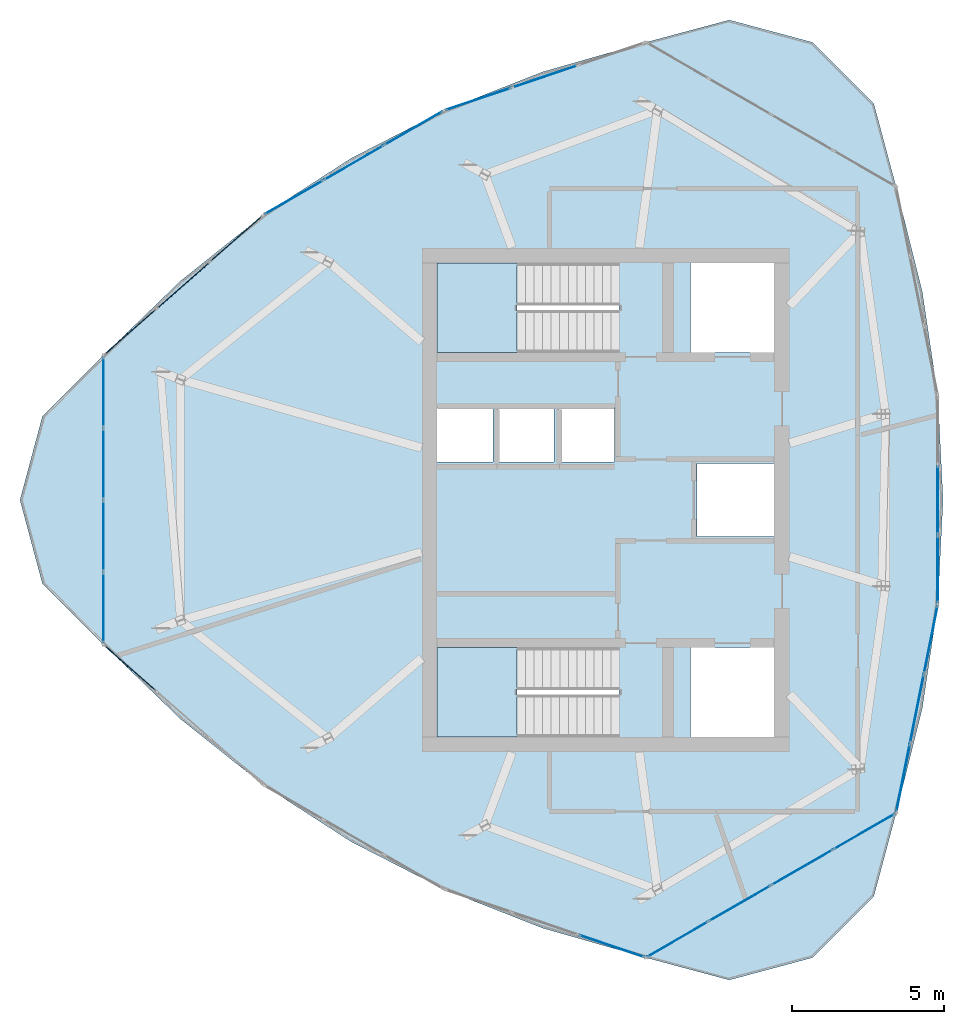
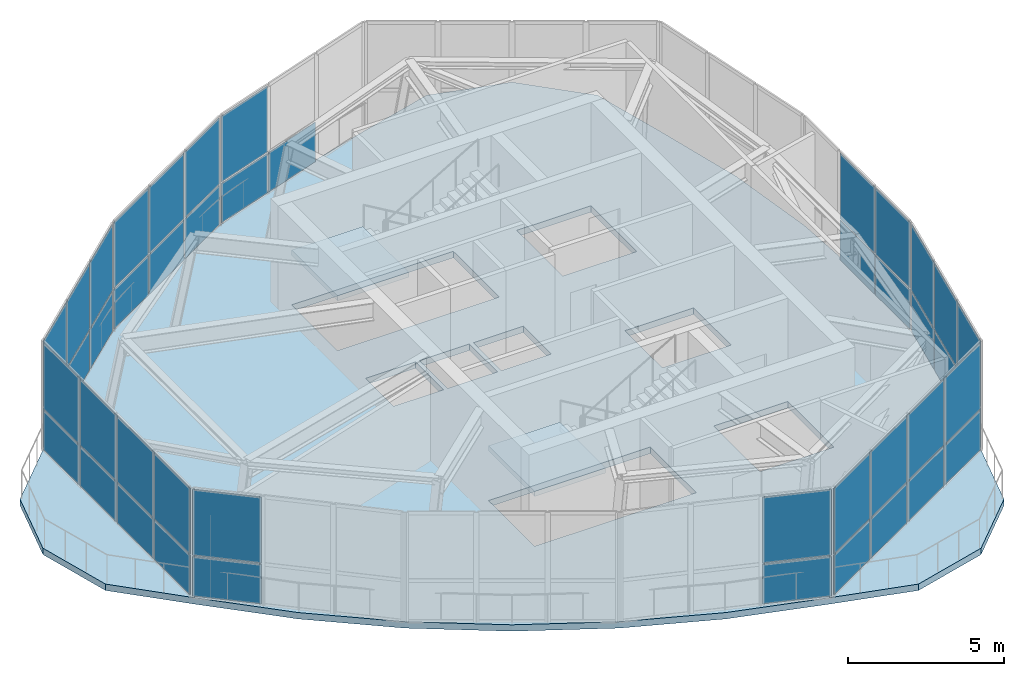
# One storey, part 6 of 11: 45 plates, 3 slabs, 11 elements without a shape of their own.
"""IFC4 building model written with IfcOpenShell, lengths in metres."""

from ifc_helpers import new_model, si_unit, direction, frame, origin, origin_2d, place, context, subcontext, project, spatial, polyline, rectangle, outline, extrude, source, transform, mapped, material, layer, layer_set, type_object, element, aggregate, save


model = new_model("IFC4")

# Units and contexts
model_context = context("Model", 3, precision=1e-05, world=origin(), true_north=direction((0.0, 1.0)))
body_context = subcontext(model_context, "Body", "Model", "MODEL_VIEW")
ifc_project = project(units=[si_unit("LENGTHUNIT", "METRE"), si_unit("AREAUNIT", "SQUARE_METRE"), si_unit("VOLUMEUNIT", "CUBIC_METRE"), si_unit("PLANEANGLEUNIT", "RADIAN"), si_unit("MASSUNIT", "GRAM", prefix="KILO")], contexts=[model_context])

# Site, building, storey
site_placement = place(None, origin())
site = spatial("IfcSite", under=ifc_project, at=site_placement, CompositionType="ELEMENT")
building_placement = place(site_placement, origin())
building = spatial("IfcBuilding", under=site, at=building_placement, Name="Qafzar Sky-Pleat Residences", CompositionType="ELEMENT")
storey_placement = place(building_placement, frame((0.0, 0.0, 253.199951171875)))
storey = spatial("IfcBuildingStorey", under=building, at=storey_placement, Name="L76 Crown", CompositionType="ELEMENT", Elevation=253.199951171875)

# Slab
ifc_material_1 = material(Name="Concrete C40/50", Category="concrete")
ifc_layer_1 = layer(ifc_material_1, 0.25)
ifc_layer_set_1 = layer_set([ifc_layer_1], Name="Concrete C40/50")
slab_type_1 = type_object("IfcSlabType", Name="SLAB-FLR-250", PredefinedType="FLOOR", material=ifc_layer_set_1)
slab_1_placement = place(storey_placement, frame((0.0, 0.0, -0.25)))
element("IfcSlab", 1, at=slab_1_placement, inside=storey, type_object=slab_type_1, Name="L76 Crown Crown Plant Floor Slab", PredefinedType="FLOOR", context=body_context, shape_type="SweptSolid", body=[
    extrude(outline(polyline([(13.81982421875, 30.755126953125), (11.81005859375, 28.745361328125), (11.074462890625, 26.0), (11.81005859375, 23.254638671875), (13.81982421875, 21.244873046875), (16.365966796875, 18.782958984375), (19.083984375, 16.61865234375), (21.973876953125, 14.751708984375), (25.035400390625, 13.1826171875), (28.268798828125, 11.910888671875), (31.674072265625, 10.936767578125), (34.41943359375, 10.201171875), (37.164794921875, 10.936767578125), (39.174560546875, 12.9462890625), (39.91015625, 15.69189453125), (40.76904296875, 19.1279296875), (41.284423828125, 22.56396484375), (41.456298828125, 26.0), (41.284423828125, 29.43603515625), (40.76904296875, 32.8720703125), (39.91015625, 36.30810546875), (39.174560546875, 39.0537109375), (37.164794921875, 41.063232421875), (34.41943359375, 41.798828125), (31.674072265625, 41.063232421875), (28.268798828125, 40.089111328125), (25.035400390625, 38.8173828125), (21.973876953125, 37.248291015625), (19.083984375, 35.38134765625), (16.365966796875, 33.217041015625), (13.81982421875, 30.755126953125)]), holes=[polyline([(30.797119140625, 21.14990234375), (24.800048828125, 21.14990234375), (24.800048828125, 18.199951171875), (30.797119140625, 18.199951171875), (30.797119140625, 21.14990234375)]), polyline([(30.797119140625, 33.800048828125), (24.800048828125, 33.800048828125), (24.800048828125, 30.85009765625), (30.797119140625, 30.85009765625), (30.797119140625, 33.800048828125)]), polyline([(24.800048828125, 27.25), (26.64990234375, 27.25), (26.64990234375, 29.050048828125), (24.800048828125, 29.050048828125), (24.800048828125, 27.25)]), polyline([(26.800048828125, 27.25), (28.64990234375, 27.25), (28.64990234375, 29.050048828125), (26.800048828125, 29.050048828125), (26.800048828125, 27.25)]), polyline([(28.800048828125, 27.25), (30.64990234375, 27.25), (30.64990234375, 29.050048828125), (28.800048828125, 29.050048828125), (28.800048828125, 27.25)]), polyline([(33.14990234375, 18.199951171875), (35.89990234375, 18.199951171875), (35.89990234375, 21.14990234375), (33.14990234375, 21.14990234375), (33.14990234375, 18.199951171875)]), polyline([(33.14990234375, 30.85009765625), (35.89990234375, 30.85009765625), (35.89990234375, 33.800048828125), (33.14990234375, 33.800048828125), (33.14990234375, 30.85009765625)]), polyline([(33.35009765625, 24.800048828125), (35.89990234375, 24.800048828125), (35.89990234375, 27.199951171875), (33.35009765625, 27.199951171875), (33.35009765625, 24.800048828125)])]), origin(), (0.0, 0.0, 1.0), 0.25),
])

# Stair, slab
stair_type = type_object("IfcStairType", Name="STAIR-H430", PredefinedType="HALF_TURN_STAIR", material=ifc_material_1)
stair_1_placement = place(storey_placement, origin())
stair_1 = element("IfcStair", 2, at=stair_1_placement, inside=storey, type_object=stair_type, Name="L76 Crown Protected Exit Stair ST1", PredefinedType="HALF_TURN_STAIR")
ifc_layer_2 = layer(ifc_material_1, 0.199951171875)
ifc_layer_set_2 = layer_set([ifc_layer_2], Name="Concrete C40/50")
slab_type_2 = type_object("IfcSlabType", Name="SLAB-LANDING-200", PredefinedType="LANDING", material=ifc_layer_set_2)
slab_2_placement = place(storey_placement, frame((0.0, 0.0, 1.949951171875)))
slab_2 = element("IfcSlab", 3, at=slab_2_placement, type_object=slab_type_2, Name="ST1 landing 1", PredefinedType="LANDING", context=body_context, shape_type="SweptSolid", body=[
    extrude(outline(polyline([(27.43994140625, 21.14990234375), (24.800048828125, 21.14990234375), (24.800048828125, 18.199951171875), (27.43994140625, 18.199951171875), (27.43994140625, 21.14990234375)])), origin(), (0.0, 0.0, 1.0), 0.2001953125),
])
aggregate(stair_1, [slab_2])

stair_2_placement = place(storey_placement, origin())
stair_2 = element("IfcStair", 4, at=stair_2_placement, inside=storey, type_object=stair_type, Name="L76 Crown Protected Exit Stair ST2", PredefinedType="HALF_TURN_STAIR")
slab_3_placement = place(storey_placement, frame((0.0, 0.0, 1.949951171875)))
slab_3 = element("IfcSlab", 5, at=slab_3_placement, type_object=slab_type_2, Name="ST2 landing 1", PredefinedType="LANDING", context=body_context, shape_type="SweptSolid", body=[
    extrude(outline(polyline([(27.43994140625, 33.800048828125), (24.800048828125, 33.800048828125), (24.800048828125, 30.85009765625), (27.43994140625, 30.85009765625), (27.43994140625, 33.800048828125)])), origin(), (0.0, 0.0, 1.0), 0.2001953125),
])
aggregate(stair_2, [slab_3])

# Curtain wall, plates
ifc_material_2 = material(Name="Anodised bronze aluminium framing", Category="aluminium")
ifc_layer_3 = layer(ifc_material_2, 0.179931640625)
ifc_layer_set_3 = layer_set([ifc_layer_3], Name="Anodised bronze aluminium framing")
curtain_wall_type = type_object("IfcCurtainWallType", Name="CW-SYS-06", PredefinedType="NOTDEFINED", material=ifc_layer_set_3)
curtain_wall_1_placement = place(storey_placement, origin())
curtain_wall_1 = element("IfcCurtainWall", 6, at=curtain_wall_1_placement, inside=storey, type_object=curtain_wall_type, Name="L76 Crown CW-06 Curtain Wall CW-CROWN-01-01", PredefinedType="NOTDEFINED")
ifc_material_3 = material(Name="Solar-control double low-E glazing", Category="glass")
ifc_layer_4 = layer(ifc_material_3, 0.02587890625)
ifc_layer_set_4 = layer_set([ifc_layer_4], Name="Solar-control double low-E glazing")
plate_type = type_object("IfcPlateType", Name="CWP-06", PredefinedType="CURTAIN_PANEL", material=ifc_layer_set_4)
shared_shape_1 = source(origin(), body_context, "Body", "SweptSolid", [
    extrude(rectangle(XDim=2.28759765625, YDim=0.02587890625, at=origin_2d()), origin(), (0.0, 0.0, 1.0), 1.5439453125),
])
plate_1_placement = place(storey_placement, frame((13.81982421875, 29.55126953125, 0.06005859375), z_axis=(0.0, 0.0, 1.0), x_axis=(0.0, -1.0, 0.0)))
plate_1 = element("IfcPlate", 7, at=plate_1_placement, type_object=plate_type, Name="CW-06 panel 1.1", PredefinedType="CURTAIN_PANEL", context=body_context, shape_type="MappedRepresentation", body=[
    mapped(shared_shape_1, transform((0.0, 0.0, 0.0), x_axis=(1.0, 0.0, 0.0), y_axis=(0.0, 1.0, 0.0), z_axis=(0.0, 0.0, 1.0), scale=1.0)),
])
plate_2_placement = place(storey_placement, frame((13.81982421875, 22.44873046875, 0.06005859375), z_axis=(0.0, 0.0, 1.0), x_axis=(0.0, -1.0, 0.0)))
plate_2 = element("IfcPlate", 8, at=plate_2_placement, type_object=plate_type, Name="CW-06 panel 4.1", PredefinedType="CURTAIN_PANEL", context=body_context, shape_type="MappedRepresentation", body=[
    mapped(shared_shape_1, transform((0.0, 0.0, 0.0), x_axis=(1.0, 0.0, 0.0), y_axis=(0.0, 1.0, 0.0), z_axis=(0.0, 0.0, 1.0), scale=1.0)),
])

curtain_wall_2_placement = place(storey_placement, origin())
curtain_wall_2 = element("IfcCurtainWall", 9, at=curtain_wall_2_placement, inside=storey, type_object=curtain_wall_type, Name="L76 Crown CW-06 Curtain Wall CW-CROWN-01-05", PredefinedType="NOTDEFINED")
plate_3_placement = place(storey_placement, frame((32.716552734375, 11.53857421875, 0.06005859375), z_axis=(0.0, 0.0, 1.0), x_axis=(0.866023437586, 0.50000340554, 0.0)))
plate_3 = element("IfcPlate", 10, at=plate_3_placement, type_object=plate_type, Name="CW-06 panel 1.1", PredefinedType="CURTAIN_PANEL", context=body_context, shape_type="MappedRepresentation", body=[
    mapped(shared_shape_1, transform((0.0, 0.0, 0.0), x_axis=(1.0, 0.0, 0.0), y_axis=(0.0, 1.0, 0.0), z_axis=(0.0, 0.0, 1.0), scale=1.0)),
])
plate_4_placement = place(storey_placement, frame((38.86767578125, 15.08984375, 0.06005859375), z_axis=(0.0, 0.0, 1.0), x_axis=(0.866023437586, 0.50000340554, 0.0)))
plate_4 = element("IfcPlate", 11, at=plate_4_placement, type_object=plate_type, Name="CW-06 panel 4.1", PredefinedType="CURTAIN_PANEL", context=body_context, shape_type="MappedRepresentation", body=[
    mapped(shared_shape_1, transform((0.0, 0.0, 0.0), x_axis=(1.0, 0.0, 0.0), y_axis=(0.0, 1.0, 0.0), z_axis=(0.0, 0.0, 1.0), scale=1.0)),
])

# Plate
shared_shape_2 = source(origin(), body_context, "Body", "SweptSolid", [
    extrude(rectangle(XDim=2.28759765625, YDim=0.02587890625, at=origin_2d()), origin(), (0.0, 0.0, 1.0), 2.575927734375),
])
plate_5_placement = place(storey_placement, frame((13.81982421875, 29.55126953125, 1.6640625), z_axis=(0.0, 0.0, 1.0), x_axis=(0.0, -1.0, 0.0)))
plate_5 = element("IfcPlate", 12, at=plate_5_placement, type_object=plate_type, Name="CW-06 panel 1.2", PredefinedType="CURTAIN_PANEL", context=body_context, shape_type="MappedRepresentation", body=[
    mapped(shared_shape_2, transform((0.0, 0.0, 0.0), x_axis=(1.0, 0.0, 0.0), y_axis=(0.0, 1.0, 0.0), z_axis=(0.0, 0.0, 1.0), scale=1.0)),
])

plate_6_placement = place(storey_placement, frame((13.81982421875, 22.44873046875, 1.6640625), z_axis=(0.0, 0.0, 1.0), x_axis=(0.0, -1.0, 0.0)))
plate_6 = element("IfcPlate", 13, at=plate_6_placement, type_object=plate_type, Name="CW-06 panel 4.2", PredefinedType="CURTAIN_PANEL", context=body_context, shape_type="MappedRepresentation", body=[
    mapped(shared_shape_2, transform((0.0, 0.0, 0.0), x_axis=(1.0, 0.0, 0.0), y_axis=(0.0, 1.0, 0.0), z_axis=(0.0, 0.0, 1.0), scale=1.0)),
])

plate_7_placement = place(storey_placement, frame((32.716552734375, 11.53857421875, 1.6640625), z_axis=(0.0, 0.0, 1.0), x_axis=(0.866023437586, 0.50000340554, 0.0)))
plate_7 = element("IfcPlate", 14, at=plate_7_placement, type_object=plate_type, Name="CW-06 panel 1.2", PredefinedType="CURTAIN_PANEL", context=body_context, shape_type="MappedRepresentation", body=[
    mapped(shared_shape_2, transform((0.0, 0.0, 0.0), x_axis=(1.0, 0.0, 0.0), y_axis=(0.0, 1.0, 0.0), z_axis=(0.0, 0.0, 1.0), scale=1.0)),
])

plate_8_placement = place(storey_placement, frame((38.86767578125, 15.08984375, 1.6640625), z_axis=(0.0, 0.0, 1.0), x_axis=(0.866023437586, 0.50000340554, 0.0)))
plate_8 = element("IfcPlate", 15, at=plate_8_placement, type_object=plate_type, Name="CW-06 panel 4.2", PredefinedType="CURTAIN_PANEL", context=body_context, shape_type="MappedRepresentation", body=[
    mapped(shared_shape_2, transform((0.0, 0.0, 0.0), x_axis=(1.0, 0.0, 0.0), y_axis=(0.0, 1.0, 0.0), z_axis=(0.0, 0.0, 1.0), scale=1.0)),
])

shared_shape_3 = source(origin(), body_context, "Body", "SweptSolid", [
    extrude(rectangle(XDim=2.317626953125, YDim=0.02587890625, at=origin_2d()), origin(), (0.0, 0.0, 1.0), 1.5439453125),
])
plate_9_placement = place(storey_placement, frame((13.81982421875, 27.188720703125, 0.06005859375), z_axis=(0.0, 0.0, 1.0), x_axis=(0.0, -1.0, 0.0)))
plate_9 = element("IfcPlate", 16, at=plate_9_placement, type_object=plate_type, Name="CW-06 panel 2.1", PredefinedType="CURTAIN_PANEL", context=body_context, shape_type="MappedRepresentation", body=[
    mapped(shared_shape_3, transform((0.0, 0.0, 0.0), x_axis=(1.0, 0.0, 0.0), y_axis=(0.0, 1.0, 0.0), z_axis=(0.0, 0.0, 1.0), scale=1.0)),
])

plate_10_placement = place(storey_placement, frame((13.81982421875, 24.811279296875, 0.06005859375), z_axis=(0.0, 0.0, 1.0), x_axis=(0.0, -1.0, 0.0)))
plate_10 = element("IfcPlate", 17, at=plate_10_placement, type_object=plate_type, Name="CW-06 panel 3.1", PredefinedType="CURTAIN_PANEL", context=body_context, shape_type="MappedRepresentation", body=[
    mapped(shared_shape_3, transform((0.0, 0.0, 0.0), x_axis=(1.0, 0.0, 0.0), y_axis=(0.0, 1.0, 0.0), z_axis=(0.0, 0.0, 1.0), scale=1.0)),
])

plate_11_placement = place(storey_placement, frame((34.7626953125, 12.719970703125, 0.06005859375), z_axis=(0.0, 0.0, 1.0), x_axis=(0.866023437586, 0.50000340554, 0.0)))
plate_11 = element("IfcPlate", 18, at=plate_11_placement, type_object=plate_type, Name="CW-06 panel 2.1", PredefinedType="CURTAIN_PANEL", context=body_context, shape_type="MappedRepresentation", body=[
    mapped(shared_shape_3, transform((0.0, 0.0, 0.0), x_axis=(1.0, 0.0, 0.0), y_axis=(0.0, 1.0, 0.0), z_axis=(0.0, 0.0, 1.0), scale=1.0)),
])

plate_12_placement = place(storey_placement, frame((36.821533203125, 13.90869140625, 0.06005859375), z_axis=(0.0, 0.0, 1.0), x_axis=(0.866023437586, 0.50000340554, 0.0)))
plate_12 = element("IfcPlate", 19, at=plate_12_placement, type_object=plate_type, Name="CW-06 panel 3.1", PredefinedType="CURTAIN_PANEL", context=body_context, shape_type="MappedRepresentation", body=[
    mapped(shared_shape_3, transform((0.0, 0.0, 0.0), x_axis=(1.0, 0.0, 0.0), y_axis=(0.0, 1.0, 0.0), z_axis=(0.0, 0.0, 1.0), scale=1.0)),
])

shared_shape_4 = source(origin(), body_context, "Body", "SweptSolid", [
    extrude(rectangle(XDim=2.317626953125, YDim=0.02587890625, at=origin_2d()), origin(), (0.0, 0.0, 1.0), 2.575927734375),
])
plate_13_placement = place(storey_placement, frame((13.81982421875, 27.188720703125, 1.6640625), z_axis=(0.0, 0.0, 1.0), x_axis=(0.0, -1.0, 0.0)))
plate_13 = element("IfcPlate", 20, at=plate_13_placement, type_object=plate_type, Name="CW-06 panel 2.2", PredefinedType="CURTAIN_PANEL", context=body_context, shape_type="MappedRepresentation", body=[
    mapped(shared_shape_4, transform((0.0, 0.0, 0.0), x_axis=(1.0, 0.0, 0.0), y_axis=(0.0, 1.0, 0.0), z_axis=(0.0, 0.0, 1.0), scale=1.0)),
])

plate_14_placement = place(storey_placement, frame((13.81982421875, 24.811279296875, 1.6640625), z_axis=(0.0, 0.0, 1.0), x_axis=(0.0, -1.0, 0.0)))
plate_14 = element("IfcPlate", 21, at=plate_14_placement, type_object=plate_type, Name="CW-06 panel 3.2", PredefinedType="CURTAIN_PANEL", context=body_context, shape_type="MappedRepresentation", body=[
    mapped(shared_shape_4, transform((0.0, 0.0, 0.0), x_axis=(1.0, 0.0, 0.0), y_axis=(0.0, 1.0, 0.0), z_axis=(0.0, 0.0, 1.0), scale=1.0)),
])

aggregate(curtain_wall_1, [plate_1, plate_5, plate_9, plate_13, plate_10, plate_14, plate_2, plate_6])

plate_15_placement = place(storey_placement, frame((34.7626953125, 12.719970703125, 1.6640625), z_axis=(0.0, 0.0, 1.0), x_axis=(0.866023437586, 0.50000340554, 0.0)))
plate_15 = element("IfcPlate", 22, at=plate_15_placement, type_object=plate_type, Name="CW-06 panel 2.2", PredefinedType="CURTAIN_PANEL", context=body_context, shape_type="MappedRepresentation", body=[
    mapped(shared_shape_4, transform((0.0, 0.0, 0.0), x_axis=(1.0, 0.0, 0.0), y_axis=(0.0, 1.0, 0.0), z_axis=(0.0, 0.0, 1.0), scale=1.0)),
])

plate_16_placement = place(storey_placement, frame((36.821533203125, 13.90869140625, 1.6640625), z_axis=(0.0, 0.0, 1.0), x_axis=(0.866023437586, 0.50000340554, 0.0)))
plate_16 = element("IfcPlate", 23, at=plate_16_placement, type_object=plate_type, Name="CW-06 panel 3.2", PredefinedType="CURTAIN_PANEL", context=body_context, shape_type="MappedRepresentation", body=[
    mapped(shared_shape_4, transform((0.0, 0.0, 0.0), x_axis=(1.0, 0.0, 0.0), y_axis=(0.0, 1.0, 0.0), z_axis=(0.0, 0.0, 1.0), scale=1.0)),
])

aggregate(curtain_wall_2, [plate_3, plate_7, plate_11, plate_15, plate_12, plate_16, plate_4, plate_8])

# Curtain wall, plate
curtain_wall_3_placement = place(storey_placement, origin())
curtain_wall_3 = element("IfcCurtainWall", 24, at=curtain_wall_3_placement, inside=storey, type_object=curtain_wall_type, Name="L76 Crown CW-06 Curtain Wall CW-CROWN-01-02", PredefinedType="NOTDEFINED")
shared_shape_5 = source(origin(), body_context, "Body", "SweptSolid", [
    extrude(rectangle(XDim=2.24609375, YDim=0.02587890625, at=origin_2d()), origin(), (0.0, 0.0, 1.0), 1.5439453125),
])
plate_17_placement = place(storey_placement, frame((14.70849609375, 20.4638671875, 0.06005859375), z_axis=(0.0, 0.0, 1.0), x_axis=(0.751151819565, -0.6601294903, 0.0)))
plate_17 = element("IfcPlate", 25, at=plate_17_placement, type_object=plate_type, Name="CW-06 panel 1.1", PredefinedType="CURTAIN_PANEL", context=body_context, shape_type="MappedRepresentation", body=[
    mapped(shared_shape_5, transform((0.0, 0.0, 0.0), x_axis=(1.0, 0.0, 0.0), y_axis=(0.0, 1.0, 0.0), z_axis=(0.0, 0.0, 1.0), scale=1.0)),
])

curtain_wall_4_placement = place(storey_placement, origin())
curtain_wall_4 = element("IfcCurtainWall", 26, at=curtain_wall_4_placement, inside=storey, type_object=curtain_wall_type, Name="L76 Crown CW-06 Curtain Wall CW-CROWN-01-04", PredefinedType="NOTDEFINED")
plate_18_placement = place(storey_placement, frame((30.553466796875, 11.31591796875, 0.06005859375), z_axis=(0.0, 0.0, 1.0), x_axis=(0.947264089995, -0.320453965191, 0.0)))
plate_18 = element("IfcPlate", 27, at=plate_18_placement, type_object=plate_type, Name="CW-06 panel 3.1", PredefinedType="CURTAIN_PANEL", context=body_context, shape_type="MappedRepresentation", body=[
    mapped(shared_shape_5, transform((0.0, 0.0, 0.0), x_axis=(1.0, 0.0, 0.0), y_axis=(0.0, 1.0, 0.0), z_axis=(0.0, 0.0, 1.0), scale=1.0)),
])

# Curtain wall, plates
curtain_wall_5_placement = place(storey_placement, origin())
curtain_wall_5 = element("IfcCurtainWall", 28, at=curtain_wall_5_placement, inside=storey, type_object=curtain_wall_type, Name="L76 Crown CW-06 Curtain Wall CW-CROWN-01-06", PredefinedType="NOTDEFINED")
plate_19_placement = place(storey_placement, frame((40.14208984375, 16.851806640625, 0.06005859375), z_axis=(0.0, 0.0, 1.0), x_axis=(0.196113391089, 0.980581224497, 0.0)))
plate_19 = element("IfcPlate", 29, at=plate_19_placement, type_object=plate_type, Name="CW-06 panel 1.1", PredefinedType="CURTAIN_PANEL", context=body_context, shape_type="MappedRepresentation", body=[
    mapped(shared_shape_5, transform((0.0, 0.0, 0.0), x_axis=(1.0, 0.0, 0.0), y_axis=(0.0, 1.0, 0.0), z_axis=(0.0, 0.0, 1.0), scale=1.0)),
])
plate_20_placement = place(storey_placement, frame((41.052490234375, 21.40380859375, 0.06005859375), z_axis=(0.0, 0.0, 1.0), x_axis=(0.196113391089, 0.980581224497, 0.0)))
plate_20 = element("IfcPlate", 30, at=plate_20_placement, type_object=plate_type, Name="CW-06 panel 3.1", PredefinedType="CURTAIN_PANEL", context=body_context, shape_type="MappedRepresentation", body=[
    mapped(shared_shape_5, transform((0.0, 0.0, 0.0), x_axis=(1.0, 0.0, 0.0), y_axis=(0.0, 1.0, 0.0), z_axis=(0.0, 0.0, 1.0), scale=1.0)),
])

# Curtain wall, plate
curtain_wall_6_placement = place(storey_placement, origin())
curtain_wall_6 = element("IfcCurtainWall", 31, at=curtain_wall_6_placement, inside=storey, type_object=curtain_wall_type, Name="L76 Crown CW-06 Curtain Wall CW-CROWN-01-10", PredefinedType="NOTDEFINED")
plate_21_placement = place(storey_placement, frame((26.15625, 39.196533203125, 0.06005859375), z_axis=(0.0, 0.0, 1.0), x_axis=(-0.947264089995, -0.320453965191, 0.0)))
plate_21 = element("IfcPlate", 32, at=plate_21_placement, type_object=plate_type, Name="CW-06 panel 3.1", PredefinedType="CURTAIN_PANEL", context=body_context, shape_type="MappedRepresentation", body=[
    mapped(shared_shape_5, transform((0.0, 0.0, 0.0), x_axis=(1.0, 0.0, 0.0), y_axis=(0.0, 1.0, 0.0), z_axis=(0.0, 0.0, 1.0), scale=1.0)),
])

# Curtain wall, plates
curtain_wall_7_placement = place(storey_placement, origin())
curtain_wall_7 = element("IfcCurtainWall", 33, at=curtain_wall_7_placement, inside=storey, type_object=curtain_wall_type, Name="L76 Crown CW-06 Curtain Wall CW-CROWN-01-12", PredefinedType="NOTDEFINED")
plate_22_placement = place(storey_placement, frame((18.1953125, 34.600341796875, 0.06005859375), z_axis=(0.0, 0.0, 1.0), x_axis=(-0.751151819565, -0.6601294903, 0.0)))
plate_22 = element("IfcPlate", 34, at=plate_22_placement, type_object=plate_type, Name="CW-06 panel 1.1", PredefinedType="CURTAIN_PANEL", context=body_context, shape_type="MappedRepresentation", body=[
    mapped(shared_shape_5, transform((0.0, 0.0, 0.0), x_axis=(1.0, 0.0, 0.0), y_axis=(0.0, 1.0, 0.0), z_axis=(0.0, 0.0, 1.0), scale=1.0)),
])
plate_23_placement = place(storey_placement, frame((14.70849609375, 31.5361328125, 0.06005859375), z_axis=(0.0, 0.0, 1.0), x_axis=(-0.751151819565, -0.6601294903, 0.0)))
plate_23 = element("IfcPlate", 35, at=plate_23_placement, type_object=plate_type, Name="CW-06 panel 3.1", PredefinedType="CURTAIN_PANEL", context=body_context, shape_type="MappedRepresentation", body=[
    mapped(shared_shape_5, transform((0.0, 0.0, 0.0), x_axis=(1.0, 0.0, 0.0), y_axis=(0.0, 1.0, 0.0), z_axis=(0.0, 0.0, 1.0), scale=1.0)),
])

# Plate
shared_shape_6 = source(origin(), body_context, "Body", "SweptSolid", [
    extrude(rectangle(XDim=2.24609375, YDim=0.02587890625, at=origin_2d()), origin(), (0.0, 0.0, 1.0), 2.575927734375),
])
plate_24_placement = place(storey_placement, frame((14.70849609375, 20.4638671875, 1.6640625), z_axis=(0.0, 0.0, 1.0), x_axis=(0.751151819565, -0.6601294903, 0.0)))
plate_24 = element("IfcPlate", 36, at=plate_24_placement, type_object=plate_type, Name="CW-06 panel 1.2", PredefinedType="CURTAIN_PANEL", context=body_context, shape_type="MappedRepresentation", body=[
    mapped(shared_shape_6, transform((0.0, 0.0, 0.0), x_axis=(1.0, 0.0, 0.0), y_axis=(0.0, 1.0, 0.0), z_axis=(0.0, 0.0, 1.0), scale=1.0)),
])

aggregate(curtain_wall_3, [plate_17, plate_24])

plate_25_placement = place(storey_placement, frame((30.553466796875, 11.31591796875, 1.6640625), z_axis=(0.0, 0.0, 1.0), x_axis=(0.947264089995, -0.320453965191, 0.0)))
plate_25 = element("IfcPlate", 37, at=plate_25_placement, type_object=plate_type, Name="CW-06 panel 3.2", PredefinedType="CURTAIN_PANEL", context=body_context, shape_type="MappedRepresentation", body=[
    mapped(shared_shape_6, transform((0.0, 0.0, 0.0), x_axis=(1.0, 0.0, 0.0), y_axis=(0.0, 1.0, 0.0), z_axis=(0.0, 0.0, 1.0), scale=1.0)),
])

aggregate(curtain_wall_4, [plate_18, plate_25])

plate_26_placement = place(storey_placement, frame((40.14208984375, 16.851806640625, 1.6640625), z_axis=(0.0, 0.0, 1.0), x_axis=(0.196113391089, 0.980581224497, 0.0)))
plate_26 = element("IfcPlate", 38, at=plate_26_placement, type_object=plate_type, Name="CW-06 panel 1.2", PredefinedType="CURTAIN_PANEL", context=body_context, shape_type="MappedRepresentation", body=[
    mapped(shared_shape_6, transform((0.0, 0.0, 0.0), x_axis=(1.0, 0.0, 0.0), y_axis=(0.0, 1.0, 0.0), z_axis=(0.0, 0.0, 1.0), scale=1.0)),
])

plate_27_placement = place(storey_placement, frame((41.052490234375, 21.40380859375, 1.6640625), z_axis=(0.0, 0.0, 1.0), x_axis=(0.196113391089, 0.980581224497, 0.0)))
plate_27 = element("IfcPlate", 39, at=plate_27_placement, type_object=plate_type, Name="CW-06 panel 3.2", PredefinedType="CURTAIN_PANEL", context=body_context, shape_type="MappedRepresentation", body=[
    mapped(shared_shape_6, transform((0.0, 0.0, 0.0), x_axis=(1.0, 0.0, 0.0), y_axis=(0.0, 1.0, 0.0), z_axis=(0.0, 0.0, 1.0), scale=1.0)),
])

plate_28_placement = place(storey_placement, frame((26.15625, 39.196533203125, 1.6640625), z_axis=(0.0, 0.0, 1.0), x_axis=(-0.947264089995, -0.320453965191, 0.0)))
plate_28 = element("IfcPlate", 40, at=plate_28_placement, type_object=plate_type, Name="CW-06 panel 3.2", PredefinedType="CURTAIN_PANEL", context=body_context, shape_type="MappedRepresentation", body=[
    mapped(shared_shape_6, transform((0.0, 0.0, 0.0), x_axis=(1.0, 0.0, 0.0), y_axis=(0.0, 1.0, 0.0), z_axis=(0.0, 0.0, 1.0), scale=1.0)),
])

plate_29_placement = place(storey_placement, frame((18.1953125, 34.600341796875, 1.6640625), z_axis=(0.0, 0.0, 1.0), x_axis=(-0.751151819565, -0.6601294903, 0.0)))
plate_29 = element("IfcPlate", 41, at=plate_29_placement, type_object=plate_type, Name="CW-06 panel 1.2", PredefinedType="CURTAIN_PANEL", context=body_context, shape_type="MappedRepresentation", body=[
    mapped(shared_shape_6, transform((0.0, 0.0, 0.0), x_axis=(1.0, 0.0, 0.0), y_axis=(0.0, 1.0, 0.0), z_axis=(0.0, 0.0, 1.0), scale=1.0)),
])

plate_30_placement = place(storey_placement, frame((14.70849609375, 31.5361328125, 1.6640625), z_axis=(0.0, 0.0, 1.0), x_axis=(-0.751151819565, -0.6601294903, 0.0)))
plate_30 = element("IfcPlate", 42, at=plate_30_placement, type_object=plate_type, Name="CW-06 panel 3.2", PredefinedType="CURTAIN_PANEL", context=body_context, shape_type="MappedRepresentation", body=[
    mapped(shared_shape_6, transform((0.0, 0.0, 0.0), x_axis=(1.0, 0.0, 0.0), y_axis=(0.0, 1.0, 0.0), z_axis=(0.0, 0.0, 1.0), scale=1.0)),
])

shared_shape_7 = source(origin(), body_context, "Body", "SweptSolid", [
    extrude(rectangle(XDim=2.276123046875, YDim=0.02587890625, at=origin_2d()), origin(), (0.0, 0.0, 1.0), 1.5439453125),
])
plate_31_placement = place(storey_placement, frame((40.597412109375, 19.1279296875, 0.06005859375), z_axis=(0.0, 0.0, 1.0), x_axis=(0.196113391089, 0.980581224497, 0.0)))
plate_31 = element("IfcPlate", 43, at=plate_31_placement, type_object=plate_type, Name="CW-06 panel 2.1", PredefinedType="CURTAIN_PANEL", context=body_context, shape_type="MappedRepresentation", body=[
    mapped(shared_shape_7, transform((0.0, 0.0, 0.0), x_axis=(1.0, 0.0, 0.0), y_axis=(0.0, 1.0, 0.0), z_axis=(0.0, 0.0, 1.0), scale=1.0)),
])

plate_32_placement = place(storey_placement, frame((28.354736328125, 39.9404296875, 0.06005859375), z_axis=(0.0, 0.0, 1.0), x_axis=(-0.947264089995, -0.320453965191, 0.0)))
plate_32 = element("IfcPlate", 44, at=plate_32_placement, type_object=plate_type, Name="CW-06 panel 2.1", PredefinedType="CURTAIN_PANEL", context=body_context, shape_type="MappedRepresentation", body=[
    mapped(shared_shape_7, transform((0.0, 0.0, 0.0), x_axis=(1.0, 0.0, 0.0), y_axis=(0.0, 1.0, 0.0), z_axis=(0.0, 0.0, 1.0), scale=1.0)),
])

aggregate(curtain_wall_6, [plate_32, plate_21, plate_28])

plate_33_placement = place(storey_placement, frame((16.451904296875, 33.068359375, 0.06005859375), z_axis=(0.0, 0.0, 1.0), x_axis=(-0.751151819565, -0.6601294903, 0.0)))
plate_33 = element("IfcPlate", 45, at=plate_33_placement, type_object=plate_type, Name="CW-06 panel 2.1", PredefinedType="CURTAIN_PANEL", context=body_context, shape_type="MappedRepresentation", body=[
    mapped(shared_shape_7, transform((0.0, 0.0, 0.0), x_axis=(1.0, 0.0, 0.0), y_axis=(0.0, 1.0, 0.0), z_axis=(0.0, 0.0, 1.0), scale=1.0)),
])

shared_shape_8 = source(origin(), body_context, "Body", "SweptSolid", [
    extrude(rectangle(XDim=2.276123046875, YDim=0.02587890625, at=origin_2d()), origin(), (0.0, 0.0, 1.0), 2.575927734375),
])
plate_34_placement = place(storey_placement, frame((40.597412109375, 19.1279296875, 1.6640625), z_axis=(0.0, 0.0, 1.0), x_axis=(0.196113391089, 0.980581224497, 0.0)))
plate_34 = element("IfcPlate", 46, at=plate_34_placement, type_object=plate_type, Name="CW-06 panel 2.2", PredefinedType="CURTAIN_PANEL", context=body_context, shape_type="MappedRepresentation", body=[
    mapped(shared_shape_8, transform((0.0, 0.0, 0.0), x_axis=(1.0, 0.0, 0.0), y_axis=(0.0, 1.0, 0.0), z_axis=(0.0, 0.0, 1.0), scale=1.0)),
])

aggregate(curtain_wall_5, [plate_19, plate_26, plate_31, plate_34, plate_20, plate_27])

plate_35_placement = place(storey_placement, frame((16.451904296875, 33.068359375, 1.6640625), z_axis=(0.0, 0.0, 1.0), x_axis=(-0.751151819565, -0.6601294903, 0.0)))
plate_35 = element("IfcPlate", 47, at=plate_35_placement, type_object=plate_type, Name="CW-06 panel 2.2", PredefinedType="CURTAIN_PANEL", context=body_context, shape_type="MappedRepresentation", body=[
    mapped(shared_shape_8, transform((0.0, 0.0, 0.0), x_axis=(1.0, 0.0, 0.0), y_axis=(0.0, 1.0, 0.0), z_axis=(0.0, 0.0, 1.0), scale=1.0)),
])

aggregate(curtain_wall_7, [plate_22, plate_29, plate_33, plate_35, plate_23, plate_30])

# Curtain wall, plate
curtain_wall_8_placement = place(storey_placement, origin())
curtain_wall_8 = element("IfcCurtainWall", 48, at=curtain_wall_8_placement, inside=storey, type_object=curtain_wall_type, Name="L76 Crown CW-06 Curtain Wall CW-CROWN-01-07", PredefinedType="NOTDEFINED")
shared_shape_9 = source(origin(), body_context, "Body", "SweptSolid", [
    extrude(rectangle(XDim=2.20068359375, YDim=0.02587890625, at=origin_2d()), origin(), (0.0, 0.0, 1.0), 1.5439453125),
])
plate_36_placement = place(storey_placement, frame((41.284423828125, 23.724365234375, 0.06005859375), z_axis=(0.0, 0.0, 1.0), x_axis=(0.0, 1.0, 0.0)))
plate_36 = element("IfcPlate", 49, at=plate_36_placement, type_object=plate_type, Name="CW-06 panel 1.1", PredefinedType="CURTAIN_PANEL", context=body_context, shape_type="MappedRepresentation", body=[
    mapped(shared_shape_9, transform((0.0, 0.0, 0.0), x_axis=(1.0, 0.0, 0.0), y_axis=(0.0, 1.0, 0.0), z_axis=(0.0, 0.0, 1.0), scale=1.0)),
])

# Curtain wall, plates
curtain_wall_9_placement = place(storey_placement, origin())
curtain_wall_9 = element("IfcCurtainWall", 50, at=curtain_wall_9_placement, inside=storey, type_object=curtain_wall_type, Name="L76 Crown CW-06 Curtain Wall CW-CROWN-01-11", PredefinedType="NOTDEFINED")
plate_37_placement = place(storey_placement, frame((24.030517578125, 38.2373046875, 0.06005859375), z_axis=(0.0, 0.0, 1.0), x_axis=(-0.866025411795, -0.499999986124, 0.0)))
plate_37 = element("IfcPlate", 51, at=plate_37_placement, type_object=plate_type, Name="CW-06 panel 1.1", PredefinedType="CURTAIN_PANEL", context=body_context, shape_type="MappedRepresentation", body=[
    mapped(shared_shape_9, transform((0.0, 0.0, 0.0), x_axis=(1.0, 0.0, 0.0), y_axis=(0.0, 1.0, 0.0), z_axis=(0.0, 0.0, 1.0), scale=1.0)),
])
plate_38_placement = place(storey_placement, frame((20.0888671875, 35.961669921875, 0.06005859375), z_axis=(0.0, 0.0, 1.0), x_axis=(-0.866025411795, -0.499999986124, 0.0)))
plate_38 = element("IfcPlate", 52, at=plate_38_placement, type_object=plate_type, Name="CW-06 panel 3.1", PredefinedType="CURTAIN_PANEL", context=body_context, shape_type="MappedRepresentation", body=[
    mapped(shared_shape_9, transform((0.0, 0.0, 0.0), x_axis=(1.0, 0.0, 0.0), y_axis=(0.0, 1.0, 0.0), z_axis=(0.0, 0.0, 1.0), scale=1.0)),
])

# Plate
shared_shape_10 = source(origin(), body_context, "Body", "SweptSolid", [
    extrude(rectangle(XDim=2.20068359375, YDim=0.02587890625, at=origin_2d()), origin(), (0.0, 0.0, 1.0), 2.575927734375),
])
plate_39_placement = place(storey_placement, frame((41.284423828125, 23.724365234375, 1.6640625), z_axis=(0.0, 0.0, 1.0), x_axis=(0.0, 1.0, 0.0)))
plate_39 = element("IfcPlate", 53, at=plate_39_placement, type_object=plate_type, Name="CW-06 panel 1.2", PredefinedType="CURTAIN_PANEL", context=body_context, shape_type="MappedRepresentation", body=[
    mapped(shared_shape_10, transform((0.0, 0.0, 0.0), x_axis=(1.0, 0.0, 0.0), y_axis=(0.0, 1.0, 0.0), z_axis=(0.0, 0.0, 1.0), scale=1.0)),
])

plate_40_placement = place(storey_placement, frame((24.030517578125, 38.2373046875, 1.6640625), z_axis=(0.0, 0.0, 1.0), x_axis=(-0.866025411795, -0.499999986124, 0.0)))
plate_40 = element("IfcPlate", 54, at=plate_40_placement, type_object=plate_type, Name="CW-06 panel 1.2", PredefinedType="CURTAIN_PANEL", context=body_context, shape_type="MappedRepresentation", body=[
    mapped(shared_shape_10, transform((0.0, 0.0, 0.0), x_axis=(1.0, 0.0, 0.0), y_axis=(0.0, 1.0, 0.0), z_axis=(0.0, 0.0, 1.0), scale=1.0)),
])

plate_41_placement = place(storey_placement, frame((20.0888671875, 35.961669921875, 1.6640625), z_axis=(0.0, 0.0, 1.0), x_axis=(-0.866025411795, -0.499999986124, 0.0)))
plate_41 = element("IfcPlate", 55, at=plate_41_placement, type_object=plate_type, Name="CW-06 panel 3.2", PredefinedType="CURTAIN_PANEL", context=body_context, shape_type="MappedRepresentation", body=[
    mapped(shared_shape_10, transform((0.0, 0.0, 0.0), x_axis=(1.0, 0.0, 0.0), y_axis=(0.0, 1.0, 0.0), z_axis=(0.0, 0.0, 1.0), scale=1.0)),
])

shared_shape_11 = source(origin(), body_context, "Body", "SweptSolid", [
    extrude(rectangle(XDim=2.230712890625, YDim=0.02587890625, at=origin_2d()), origin(), (0.0, 0.0, 1.0), 1.5439453125),
])
plate_42_placement = place(storey_placement, frame((41.284423828125, 26.0, 0.06005859375), z_axis=(0.0, 0.0, 1.0), x_axis=(0.0, 1.0, 0.0)))
plate_42 = element("IfcPlate", 56, at=plate_42_placement, type_object=plate_type, Name="CW-06 panel 2.1", PredefinedType="CURTAIN_PANEL", context=body_context, shape_type="MappedRepresentation", body=[
    mapped(shared_shape_11, transform((0.0, 0.0, 0.0), x_axis=(1.0, 0.0, 0.0), y_axis=(0.0, 1.0, 0.0), z_axis=(0.0, 0.0, 1.0), scale=1.0)),
])

plate_43_placement = place(storey_placement, frame((22.059814453125, 37.099365234375, 0.06005859375), z_axis=(0.0, 0.0, 1.0), x_axis=(-0.866025411795, -0.499999986124, 0.0)))
plate_43 = element("IfcPlate", 57, at=plate_43_placement, type_object=plate_type, Name="CW-06 panel 2.1", PredefinedType="CURTAIN_PANEL", context=body_context, shape_type="MappedRepresentation", body=[
    mapped(shared_shape_11, transform((0.0, 0.0, 0.0), x_axis=(1.0, 0.0, 0.0), y_axis=(0.0, 1.0, 0.0), z_axis=(0.0, 0.0, 1.0), scale=1.0)),
])

shared_shape_12 = source(origin(), body_context, "Body", "SweptSolid", [
    extrude(rectangle(XDim=2.230712890625, YDim=0.02587890625, at=origin_2d()), origin(), (0.0, 0.0, 1.0), 2.575927734375),
])
plate_44_placement = place(storey_placement, frame((41.284423828125, 26.0, 1.6640625), z_axis=(0.0, 0.0, 1.0), x_axis=(0.0, 1.0, 0.0)))
plate_44 = element("IfcPlate", 58, at=plate_44_placement, type_object=plate_type, Name="CW-06 panel 2.2", PredefinedType="CURTAIN_PANEL", context=body_context, shape_type="MappedRepresentation", body=[
    mapped(shared_shape_12, transform((0.0, 0.0, 0.0), x_axis=(1.0, 0.0, 0.0), y_axis=(0.0, 1.0, 0.0), z_axis=(0.0, 0.0, 1.0), scale=1.0)),
])

aggregate(curtain_wall_8, [plate_36, plate_39, plate_42, plate_44])

plate_45_placement = place(storey_placement, frame((22.059814453125, 37.099365234375, 1.6640625), z_axis=(0.0, 0.0, 1.0), x_axis=(-0.866025411795, -0.499999986124, 0.0)))
plate_45 = element("IfcPlate", 59, at=plate_45_placement, type_object=plate_type, Name="CW-06 panel 2.2", PredefinedType="CURTAIN_PANEL", context=body_context, shape_type="MappedRepresentation", body=[
    mapped(shared_shape_12, transform((0.0, 0.0, 0.0), x_axis=(1.0, 0.0, 0.0), y_axis=(0.0, 1.0, 0.0), z_axis=(0.0, 0.0, 1.0), scale=1.0)),
])

aggregate(curtain_wall_9, [plate_37, plate_40, plate_43, plate_45, plate_38, plate_41])

save(model, "model.ifc")
